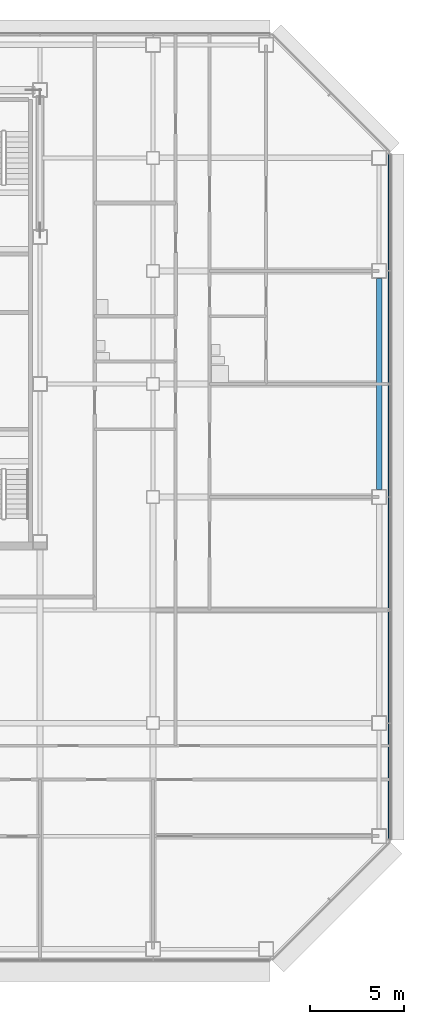
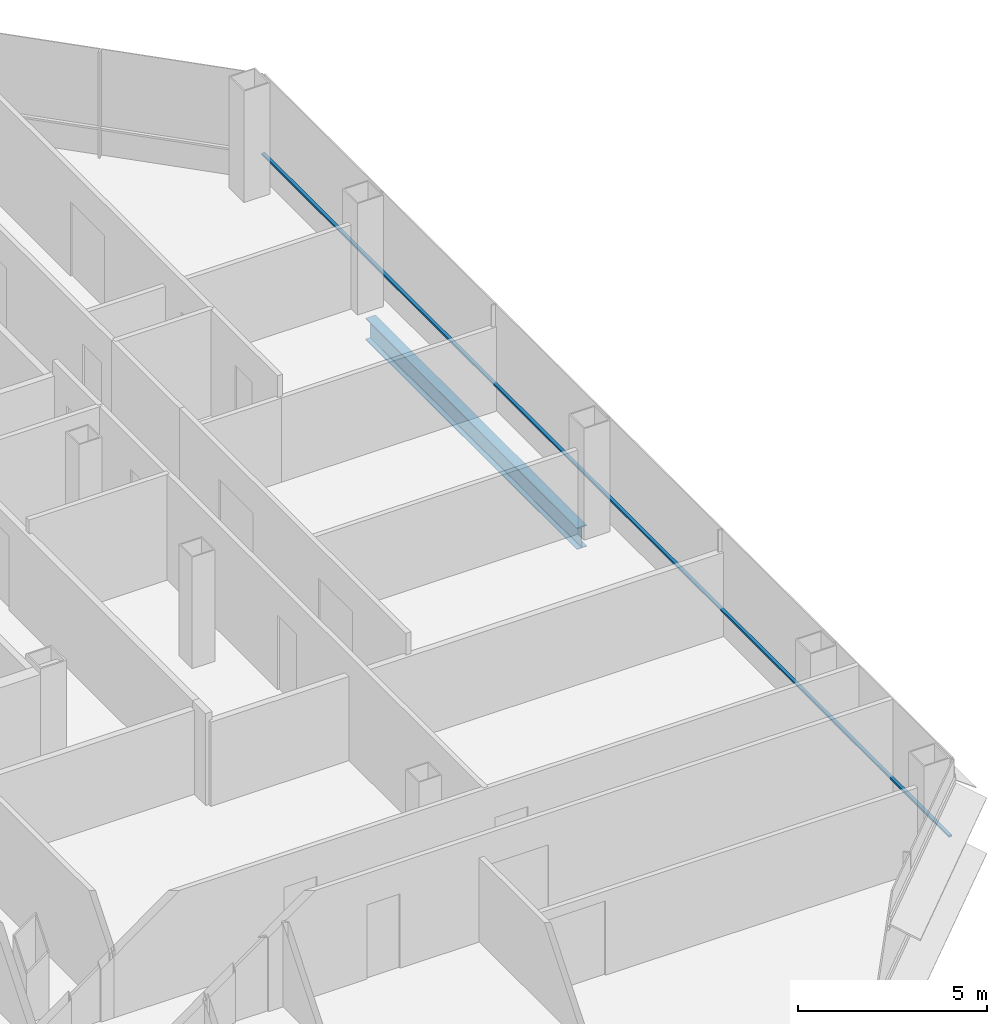
# One storey, part 16 of 25: 1 beam, 1 member, 1 element without a shape of its own.
"""IFC4 building model written with IfcOpenShell, lengths in metres."""

from ifc_helpers import new_model, si_unit, direction, frame, origin, origin_2d, place, context, subcontext, project, spatial, rectangle, i_section, extrude, material, material_profile, profile_set, type_object, element, aggregate, save


model = new_model("IFC4")

# Units and contexts
model_context = context("Model", 3, precision=1e-05, world=origin(), true_north=direction((0.0, 1.0)))
body_context = subcontext(model_context, "Body", "Model", "MODEL_VIEW")
ifc_project = project(units=[si_unit("LENGTHUNIT", "METRE"), si_unit("AREAUNIT", "SQUARE_METRE"), si_unit("VOLUMEUNIT", "CUBIC_METRE"), si_unit("PLANEANGLEUNIT", "RADIAN"), si_unit("MASSUNIT", "GRAM", prefix="KILO")], contexts=[model_context])

# Site, building, storey
site_placement = place(None, origin())
site = spatial("IfcSite", under=ifc_project, at=site_placement, CompositionType="ELEMENT")
building_placement = place(site_placement, origin())
building = spatial("IfcBuilding", under=site, at=building_placement, Name="Sorahane Residences", CompositionType="ELEMENT")
storey_placement = place(building_placement, frame((0.0, 0.0, 126.800048828125)))
storey = spatial("IfcBuildingStorey", under=building, at=storey_placement, Name="L28", CompositionType="ELEMENT", Elevation=126.800048828125)

# Curtain wall, member
ifc_material_1 = material(Name="Dark low-e glass and black anodised aluminium", Category="aluminium")
curtain_wall_type = type_object("IfcCurtainWallType", Name="Curtain wall CW-1 Typical unitised wall", PredefinedType="NOTDEFINED", material=ifc_material_1)
curtain_wall_placement = place(storey_placement, origin())
curtain_wall = element("IfcCurtainWall", 1, at=curtain_wall_placement, inside=storey, type_object=curtain_wall_type, Name="CW-1 curtain wall L28 E1", PredefinedType="NOTDEFINED")
ifc_material_2 = material(Name="Black anodised aluminium", Category="aluminium")
ifc_material_profile_1 = material_profile(ifc_material_2, rectangle(XDim=0.10009765625, YDim=0.06005859375, at=origin_2d()), Name="Curtain wall transom CW-1 black anodised aluminium 60x100")
ifc_profile_set_1 = profile_set([ifc_material_profile_1], Name="Black anodised aluminium")
member_type = type_object("IfcMemberType", Name="Curtain wall transom CW-1 black anodised aluminium 60x100", PredefinedType="USERDEFINED", material=ifc_profile_set_1)
member_placement = place(storey_placement, frame((60.530029296875, 5.801513671875, 0.89990234375), z_axis=(0.0, 1.0, 0.0), x_axis=(-1.0, 0.0, 0.0)))
member = element("IfcMember", 2, at=member_placement, type_object=member_type, Name="CW-1 transom L28 E1", ObjectType="TRANSOM", PredefinedType="USERDEFINED", context=body_context, shape_type="SweptSolid", body=[
    extrude(rectangle(XDim=0.10009765625, YDim=0.06005859375, at=origin_2d()), origin(), (0.0, 0.0, 1.0), 36.39697265625),
])
aggregate(curtain_wall, [member])

# Beam
ifc_material_3 = material(Name="Steel Q355B", Category="steel")
ifc_material_profile_2 = material_profile(ifc_material_3, i_section(OverallWidth=0.300048828125, OverallDepth=0.699951171875, WebThickness=0.012939453125, FlangeThickness=0.02392578125, FilletRadius=0.028076171875, at=origin_2d()), Name="HN 700x300x13x24")
ifc_profile_set_2 = profile_set([ifc_material_profile_2], Name="Steel Q355B")
beam_type = type_object("IfcBeamType", Name="Steel floor beam HN 700x300x13x24 Q355B", PredefinedType="BEAM", material=ifc_profile_set_2)
beam_placement = place(storey_placement, frame((60.0, 24.39990234375, -0.530029296875), z_axis=(0.0, 1.0, 0.0), x_axis=(-1.0, 0.0, 0.0)))
element("IfcBeam", 3, at=beam_placement, inside=storey, type_object=beam_type, Name="Beam L28 066", PredefinedType="BEAM", context=body_context, shape_type="SweptSolid", body=[
    extrude(i_section(OverallWidth=0.300048828125, OverallDepth=0.699951171875, WebThickness=0.012939453125, FlangeThickness=0.02392578125, FilletRadius=0.028076171875, at=origin_2d()), origin(), (0.0, 0.0, 1.0), 11.2001953125),
])

save(model, "model.ifc")
